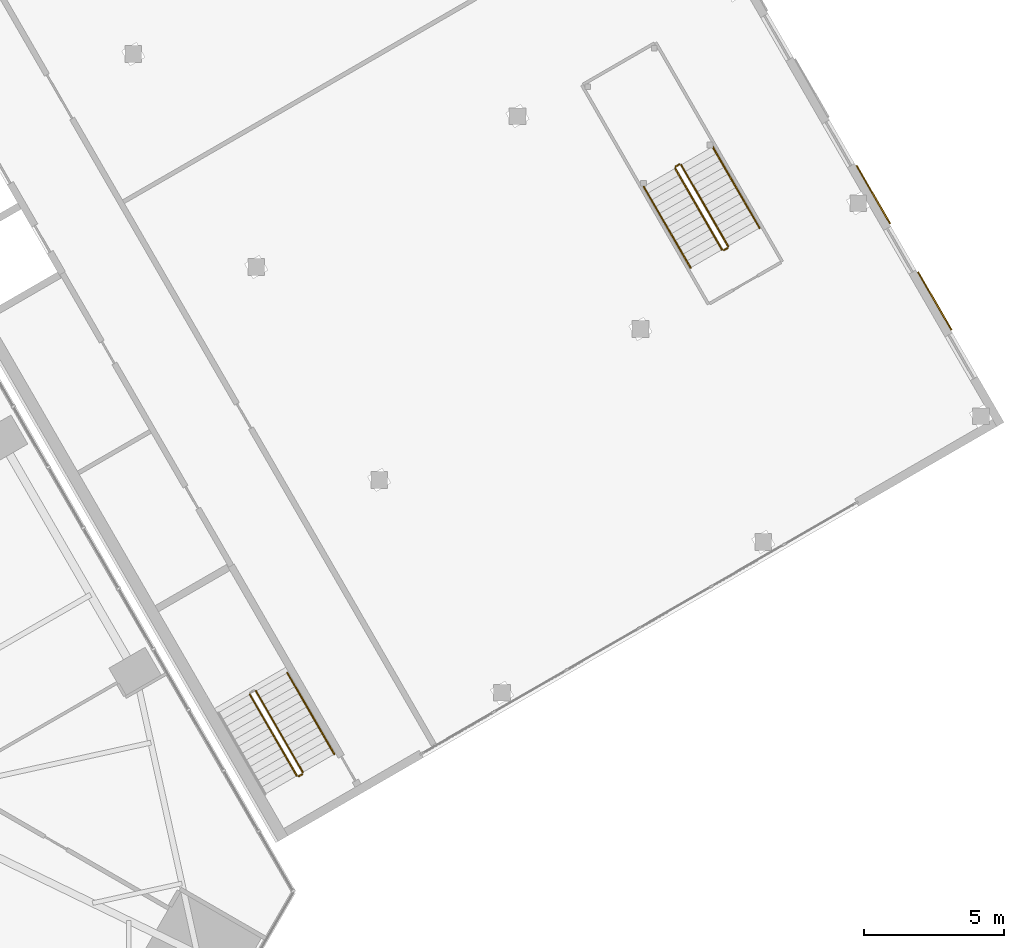
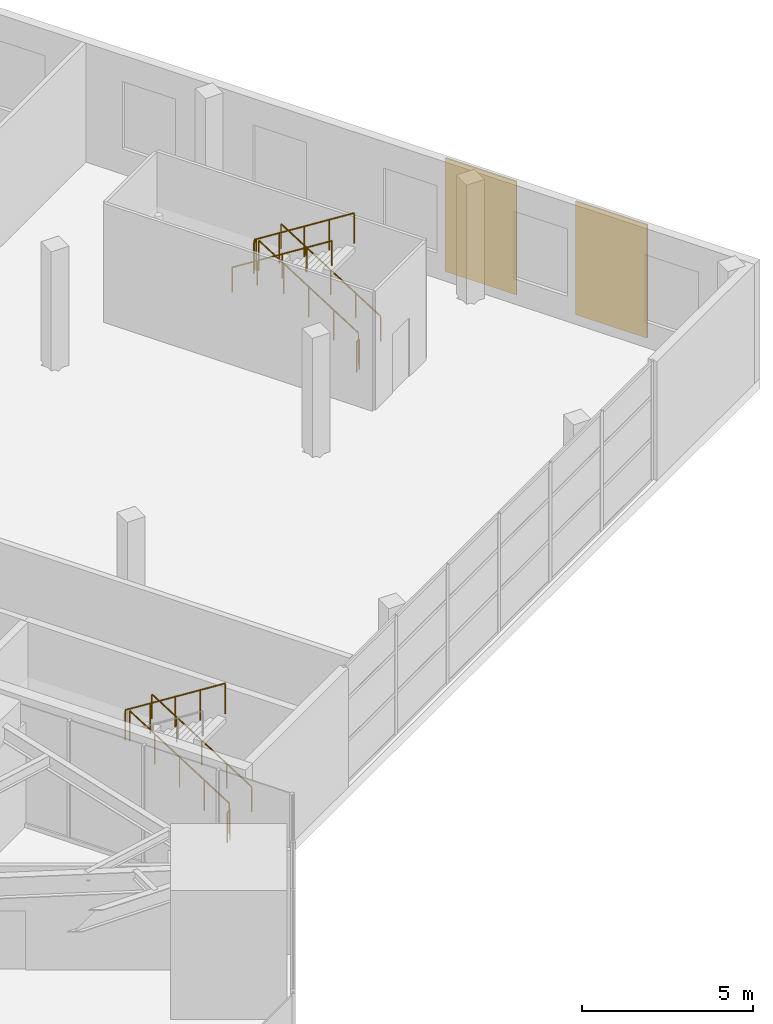
# One storey, part 27 of 29: 10 railings, 2 coverings.
"""IFC4 building model written with IfcOpenShell, lengths in metres."""

from ifc_helpers import new_model, si_unit, direction, frame, origin, origin_2d, place, context, subcontext, project, spatial, rectangle, circle, extrude, material, layer, layer_set, type_object, element, save


model = new_model("IFC4")

# Units and contexts
model_context = context("Model", 3, precision=1e-05, world=origin(), true_north=direction((0.0, 1.0)))
body_context = subcontext(model_context, "Body", "Model", "MODEL_VIEW")
ifc_project = project(units=[si_unit("LENGTHUNIT", "METRE"), si_unit("AREAUNIT", "SQUARE_METRE"), si_unit("VOLUMEUNIT", "CUBIC_METRE"), si_unit("PLANEANGLEUNIT", "RADIAN"), si_unit("MASSUNIT", "GRAM", prefix="KILO")], contexts=[model_context])

# Site, building, storey
site_placement = place(None, origin())
site = spatial("IfcSite", under=ifc_project, at=site_placement, CompositionType="ELEMENT")
building_placement = place(site_placement, origin())
building = spatial("IfcBuilding", under=site, at=building_placement, Name="Firuza Gate Tower and Library", CompositionType="ELEMENT")
storey_placement = place(building_placement, frame((0.0, 0.0, 8.0)))
storey = spatial("IfcBuildingStorey", under=building, at=storey_placement, Name="L01", CompositionType="ELEMENT", Elevation=8.0)

# Railings
ifc_material_1 = material(Name="Steel S355", Category="steel")
railing_type_1 = type_object("IfcRailingType", Name="LIB GUARD", PredefinedType="GUARDRAIL", material=ifc_material_1)
railing_1_placement = place(storey_placement, frame((107.815185546875, 64.73193359375, 0.177001953125)))
element("IfcRailing", 1, at=railing_1_placement, inside=storey, type_object=railing_type_1, Name="L01 LIB-ST-B stair guard 1", PredefinedType="GUARDRAIL", context=body_context, shape_type="SweptSolid", body=[
    extrude(circle(Radius=0.02392578125, at=origin_2d()), frame((0.0, 0.0, 1.076171875), z_axis=(-0.422741098572, 0.732087825164, 0.534169804298), x_axis=(-0.865989548921, -0.500062097304, 0.0)), (0.0, 0.0, 1.0), 3.974365234375),
    extrude(circle(Radius=0.02099609375, at=origin_2d()), origin(), (0.0, 0.0, 1.0), 1.052001953125),
    extrude(circle(Radius=0.02099609375, at=origin_2d()), frame((-0.419921875, 0.7275390625, 0.53076171875)), (0.0, 0.0, 1.0), 1.052001953125),
    extrude(circle(Radius=0.02099609375, at=origin_2d()), frame((-0.840087890625, 1.454833984375, 1.0615234375)), (0.0, 0.0, 1.0), 1.052001953125),
    extrude(circle(Radius=0.02099609375, at=origin_2d()), frame((-1.26025390625, 2.18212890625, 1.59228515625)), (0.0, 0.0, 1.0), 1.052001953125),
    extrude(circle(Radius=0.02099609375, at=origin_2d()), frame((-1.68017578125, 2.90966796875, 2.123046875)), (0.0, 0.0, 1.0), 1.052001953125),
])
railing_2_placement = place(storey_placement, frame((105.91845703125, 67.5166015625, 2.476806640625)))
element("IfcRailing", 2, at=railing_2_placement, inside=storey, type_object=railing_type_1, Name="L01 LIB-ST-B stair guard 3", PredefinedType="GUARDRAIL", context=body_context, shape_type="SweptSolid", body=[
    extrude(circle(Radius=0.02392578125, at=origin_2d()), frame((0.0, 0.0, 1.076171875), z_axis=(0.422727227271, -0.732063803344, 0.534213701769), x_axis=(0.865989548921, 0.500062097304, 0.0)), (0.0, 0.0, 1.0), 3.974609375),
    extrude(circle(Radius=0.02099609375, at=origin_2d()), origin(), (0.0, 0.0, 1.0), 1.052001953125),
    extrude(circle(Radius=0.02099609375, at=origin_2d()), frame((0.419921875, -0.7275390625, 0.53076171875)), (0.0, 0.0, 1.0), 1.052001953125),
    extrude(circle(Radius=0.02099609375, at=origin_2d()), frame((0.840087890625, -1.454833984375, 1.0615234375)), (0.0, 0.0, 1.0), 1.052001953125),
    extrude(circle(Radius=0.02099609375, at=origin_2d()), frame((1.26025390625, -2.18212890625, 1.592529296875)), (0.0, 0.0, 1.0), 1.052001953125),
    extrude(circle(Radius=0.02099609375, at=origin_2d()), frame((1.68017578125, -2.90966796875, 2.123291015625)), (0.0, 0.0, 1.0), 1.052001953125),
])
railing_3_placement = place(storey_placement, frame((107.796875, 64.66357421875, 0.0)))
element("IfcRailing", 3, at=railing_3_placement, inside=storey, type_object=railing_type_1, Name="L01 LIB-ST-B stair guard 4", PredefinedType="GUARDRAIL", context=body_context, shape_type="SweptSolid", body=[
    extrude(circle(Radius=0.02392578125, at=origin_2d()), frame((0.0, 0.0, 1.076171875), z_axis=(-0.866537231285, -0.499112439033, 0.0), x_axis=(0.499112439033, -0.866537231285, 0.0)), (0.0, 0.0, 1.0), 0.150146484375),
    extrude(circle(Radius=0.02099609375, at=origin_2d()), origin(), (0.0, 0.0, 1.0), 1.052001953125),
    extrude(circle(Radius=0.02099609375, at=origin_2d()), frame((-0.130126953125, -0.074951171875, 0.0)), (0.0, 0.0, 1.0), 1.052001953125),
])
railing_4_placement = place(storey_placement, frame((123.037353515625, 83.566162109375, 0.177001953125)))
element("IfcRailing", 4, at=railing_4_placement, inside=storey, type_object=railing_type_1, Name="L01 LIB-ST-C stair guard 1", PredefinedType="GUARDRAIL", context=body_context, shape_type="SweptSolid", body=[
    extrude(circle(Radius=0.02392578125, at=origin_2d()), frame((0.0, 0.0, 1.076171875), z_axis=(-0.422722088385, 0.732116328315, 0.534145783289), x_axis=(-0.866007717299, -0.500030632641, 0.0)), (0.0, 0.0, 1.0), 3.974609375),
    extrude(circle(Radius=0.02099609375, at=origin_2d()), origin(), (0.0, 0.0, 1.0), 1.052001953125),
    extrude(circle(Radius=0.02099609375, at=origin_2d()), frame((-0.419921875, 0.7275390625, 0.53076171875)), (0.0, 0.0, 1.0), 1.052001953125),
    extrude(circle(Radius=0.02099609375, at=origin_2d()), frame((-0.840087890625, 1.455078125, 1.0615234375)), (0.0, 0.0, 1.0), 1.052001953125),
    extrude(circle(Radius=0.02099609375, at=origin_2d()), frame((-1.26025390625, 2.182373046875, 1.59228515625)), (0.0, 0.0, 1.0), 1.052001953125),
    extrude(circle(Radius=0.02099609375, at=origin_2d()), frame((-1.68017578125, 2.909912109375, 2.123046875)), (0.0, 0.0, 1.0), 1.052001953125),
])
railing_5_placement = place(storey_placement, frame((121.2890625, 86.494384765625, 2.300048828125)))
element("IfcRailing", 5, at=railing_5_placement, inside=storey, type_object=railing_type_1, Name="L01 LIB-ST-C stair guard 2", PredefinedType="GUARDRAIL", context=body_context, shape_type="SweptSolid", body=[
    extrude(circle(Radius=0.02392578125, at=origin_2d()), frame((0.0, 0.0, 1.076171875), z_axis=(-0.866131372301, -0.499816412211, 0.0), x_axis=(0.499816412211, -0.866131372301, 0.0)), (0.0, 0.0, 1.0), 0.14990234375),
    extrude(circle(Radius=0.02099609375, at=origin_2d()), origin(), (0.0, 0.0, 1.0), 1.052001953125),
    extrude(circle(Radius=0.02099609375, at=origin_2d()), frame((-0.1298828125, -0.074951171875, 0.0)), (0.0, 0.0, 1.0), 1.052001953125),
])
railing_6_placement = place(storey_placement, frame((121.140869140625, 86.35107421875, 2.476806640625)))
element("IfcRailing", 6, at=railing_6_placement, inside=storey, type_object=railing_type_1, Name="L01 LIB-ST-C stair guard 3", PredefinedType="GUARDRAIL", context=body_context, shape_type="SweptSolid", body=[
    extrude(circle(Radius=0.02392578125, at=origin_2d()), frame((0.0, 0.0, 1.076171875), z_axis=(0.42265776977, -0.73211131491, 0.53420354944), x_axis=(0.866039179741, 0.499976138585, 0.0)), (0.0, 0.0, 1.0), 3.974609375),
    extrude(circle(Radius=0.02099609375, at=origin_2d()), origin(), (0.0, 0.0, 1.0), 1.052001953125),
    extrude(circle(Radius=0.02099609375, at=origin_2d()), frame((0.419921875, -0.7275390625, 0.53076171875)), (0.0, 0.0, 1.0), 1.052001953125),
    extrude(circle(Radius=0.02099609375, at=origin_2d()), frame((0.83984375, -1.455078125, 1.0615234375)), (0.0, 0.0, 1.0), 1.052001953125),
    extrude(circle(Radius=0.02099609375, at=origin_2d()), frame((1.260009765625, -2.182373046875, 1.592529296875)), (0.0, 0.0, 1.0), 1.052001953125),
    extrude(circle(Radius=0.02099609375, at=origin_2d()), frame((1.679931640625, -2.909912109375, 2.123291015625)), (0.0, 0.0, 1.0), 1.052001953125),
])
railing_7_placement = place(storey_placement, frame((123.01904296875, 83.498046875, 0.0)))
element("IfcRailing", 7, at=railing_7_placement, inside=storey, type_object=railing_type_1, Name="L01 LIB-ST-C stair guard 4", PredefinedType="GUARDRAIL", context=body_context, shape_type="SweptSolid", body=[
    extrude(circle(Radius=0.02392578125, at=origin_2d()), frame((0.0, 0.0, 1.076171875), z_axis=(-0.865426285481, -0.501036270542, 0.0), x_axis=(0.501036270542, -0.865426285481, 0.0)), (0.0, 0.0, 1.0), 0.150146484375),
    extrude(circle(Radius=0.02099609375, at=origin_2d()), origin(), (0.0, 0.0, 1.0), 1.052001953125),
    extrude(circle(Radius=0.02099609375, at=origin_2d()), frame((-0.1298828125, -0.0751953125, 0.0)), (0.0, 0.0, 1.0), 1.052001953125),
])
ifc_material_2 = material(Name="Steel S355", Category="steel")
railing_type_2 = type_object("IfcRailingType", Name="LIB HANDRAIL", PredefinedType="HANDRAIL", material=ifc_material_2)
railing_8_placement = place(storey_placement, frame((108.94091796875, 65.3818359375, 0.177001953125)))
element("IfcRailing", 8, at=railing_8_placement, inside=storey, type_object=railing_type_2, Name="L01 LIB-ST-B stair handrail 1", PredefinedType="HANDRAIL", context=body_context, shape_type="SweptSolid", body=[
    extrude(circle(Radius=0.02392578125, at=origin_2d()), frame((0.0, 0.0, 0.8759765625), z_axis=(-0.422671638265, 0.732135337376, 0.534159652137), x_axis=(-0.866039179741, -0.499976138585, 0.0)), (0.0, 0.0, 1.0), 3.974609375),
    extrude(circle(Radius=0.02099609375, at=origin_2d()), origin(), (0.0, 0.0, 1.0), 0.851806640625),
    extrude(circle(Radius=0.02099609375, at=origin_2d()), frame((-0.419921875, 0.7275390625, 0.53076171875)), (0.0, 0.0, 1.0), 0.851806640625),
    extrude(circle(Radius=0.02099609375, at=origin_2d()), frame((-0.83984375, 1.455078125, 1.0615234375)), (0.0, 0.0, 1.0), 0.851806640625),
    extrude(circle(Radius=0.02099609375, at=origin_2d()), frame((-1.260009765625, 2.182373046875, 1.59228515625)), (0.0, 0.0, 1.0), 0.851806640625),
    extrude(circle(Radius=0.02099609375, at=origin_2d()), frame((-1.679931640625, 2.909912109375, 2.123046875)), (0.0, 0.0, 1.0), 0.851806640625),
])
railing_9_placement = place(storey_placement, frame((124.1630859375, 84.21630859375, 0.177001953125)))
element("IfcRailing", 9, at=railing_9_placement, inside=storey, type_object=railing_type_2, Name="L01 LIB-ST-C stair handrail 1", PredefinedType="HANDRAIL", context=body_context, shape_type="SweptSolid", body=[
    extrude(circle(Radius=0.02392578125, at=origin_2d()), frame((0.0, 0.0, 0.8759765625), z_axis=(-0.42269064717, 0.732106835195, 0.534183675017), x_axis=(-0.866021014662, -0.500007602105, 0.0)), (0.0, 0.0, 1.0), 3.974365234375),
    extrude(circle(Radius=0.02099609375, at=origin_2d()), origin(), (0.0, 0.0, 1.0), 0.851806640625),
    extrude(circle(Radius=0.02099609375, at=origin_2d()), frame((-0.419921875, 0.7275390625, 0.53076171875)), (0.0, 0.0, 1.0), 0.851806640625),
    extrude(circle(Radius=0.02099609375, at=origin_2d()), frame((-0.83984375, 1.454833984375, 1.0615234375)), (0.0, 0.0, 1.0), 0.851806640625),
    extrude(circle(Radius=0.02099609375, at=origin_2d()), frame((-1.260009765625, 2.18212890625, 1.59228515625)), (0.0, 0.0, 1.0), 0.851806640625),
    extrude(circle(Radius=0.02099609375, at=origin_2d()), frame((-1.679931640625, 2.90966796875, 2.123046875)), (0.0, 0.0, 1.0), 0.851806640625),
])
railing_10_placement = place(storey_placement, frame((120.014892578125, 85.701171875, 2.476806640625)))
element("IfcRailing", 10, at=railing_10_placement, inside=storey, type_object=railing_type_2, Name="L01 LIB-ST-C stair handrail 2", PredefinedType="HANDRAIL", context=body_context, shape_type="SweptSolid", body=[
    extrude(circle(Radius=0.02392578125, at=origin_2d()), frame((0.0, 0.0, 0.8759765625), z_axis=(0.42265776977, -0.73211131491, 0.53420354944), x_axis=(0.866039179741, 0.499976138585, 0.0)), (0.0, 0.0, 1.0), 3.974609375),
    extrude(circle(Radius=0.02099609375, at=origin_2d()), origin(), (0.0, 0.0, 1.0), 0.851806640625),
    extrude(circle(Radius=0.02099609375, at=origin_2d()), frame((0.419921875, -0.7275390625, 0.53076171875)), (0.0, 0.0, 1.0), 0.851806640625),
    extrude(circle(Radius=0.02099609375, at=origin_2d()), frame((0.83984375, -1.455078125, 1.0615234375)), (0.0, 0.0, 1.0), 0.851806640625),
    extrude(circle(Radius=0.02099609375, at=origin_2d()), frame((1.260009765625, -2.182373046875, 1.592529296875)), (0.0, 0.0, 1.0), 0.851806640625),
    extrude(circle(Radius=0.02099609375, at=origin_2d()), frame((1.679931640625, -2.909912109375, 2.123291015625)), (0.0, 0.0, 1.0), 0.851806640625),
])

# Coverings
ifc_material_3 = material(Name="Turquoise glazed ceramic tile")
ifc_layer_1 = layer(ifc_material_3, 0.050048828125)
ifc_layer_set_1 = layer_set([ifc_layer_1], Name="LIB TILE CLADDING")
covering_type_1 = type_object("IfcCoveringType", Name="LIB TILE CLADDING", PredefinedType="CLADDING", material=ifc_layer_set_1)
covering_1_placement = place(storey_placement, frame((130.435302734375, 81.602294921875, 0.10009765625), z_axis=(0.0, 0.0, 1.0), x_axis=(-0.5, 0.866025403784, 0.0)))
element("IfcCovering", 11, at=covering_1_placement, inside=storey, type_object=covering_type_1, Name="L01 TILE panel 1", PredefinedType="CLADDING", context=body_context, shape_type="SweptSolid", body=[
    extrude(rectangle(XDim=2.39990234375, YDim=0.050048828125, at=origin_2d()), origin(), (0.0, 0.0, 1.0), 4.0400390625),
])
ifc_material_4 = material(Name="Cobalt glazed ceramic tile")
ifc_layer_2 = layer(ifc_material_4, 0.050048828125)
ifc_layer_set_2 = layer_set([ifc_layer_2], Name="LIB TILE CLADDING COBALT")
covering_type_2 = type_object("IfcCoveringType", Name="LIB TILE CLADDING COBALT", PredefinedType="CLADDING", material=ifc_layer_set_2)
covering_2_placement = place(storey_placement, frame((128.2353515625, 85.412841796875, 0.10009765625), z_axis=(0.0, 0.0, 1.0), x_axis=(-0.5, 0.866025403784, 0.0)))
element("IfcCovering", 12, at=covering_2_placement, inside=storey, type_object=covering_type_2, Name="L01 TILE panel 2", PredefinedType="CLADDING", context=body_context, shape_type="SweptSolid", body=[
    extrude(rectangle(XDim=2.39990234375, YDim=0.050048828125, at=origin_2d()), origin(), (0.0, 0.0, 1.0), 4.0400390625),
])

save(model, "model.ifc")
